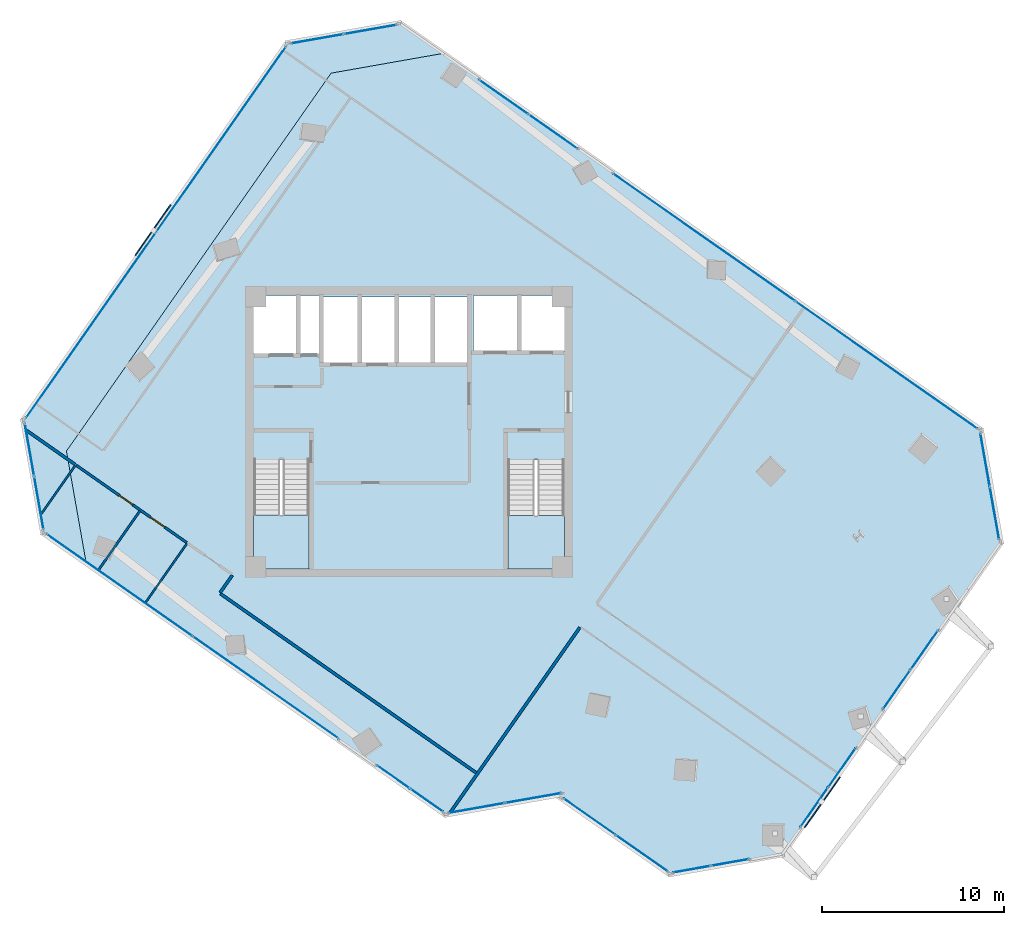
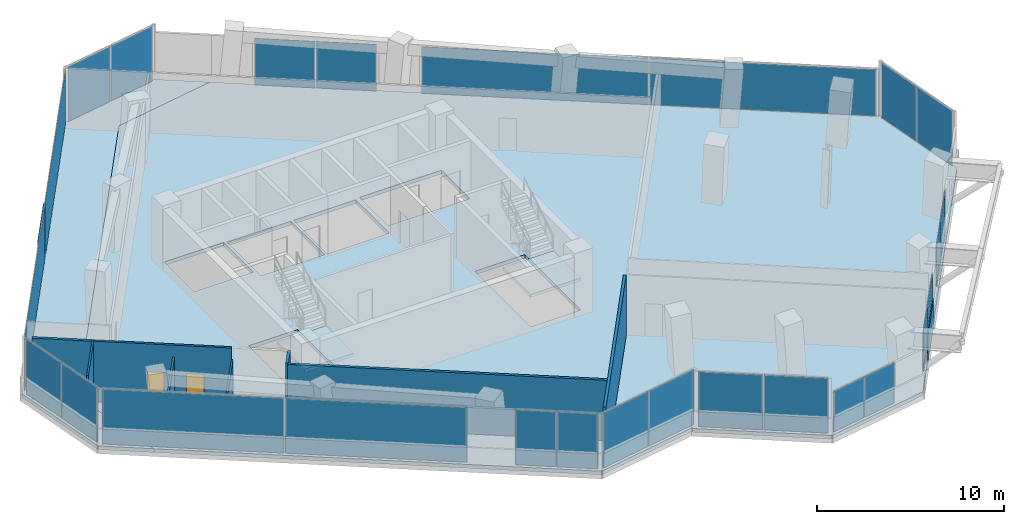
# One storey, part 16 of 21: 28 plates, 8 walls, 4 slabs, 2 doors, 2 openings, 15 elements without a shape of their own.
"""IFC4 building model written with IfcOpenShell, lengths in metres."""

from ifc_helpers import new_model, si_unit, direction, frame, frame_2d, origin, origin_2d, place, context, subcontext, project, spatial, polyline, rectangle, outline, extrude, source, transform, mapped, material, layer, layer_set, type_object, element, fill, aggregate, save


model = new_model("IFC4")

# Units and contexts
model_context = context("Model", 3, precision=1e-05, world=origin(), true_north=direction((0.0, 1.0)))
body_context = subcontext(model_context, "Body", "Model", "MODEL_VIEW")
ifc_project = project(units=[si_unit("LENGTHUNIT", "METRE"), si_unit("AREAUNIT", "SQUARE_METRE"), si_unit("VOLUMEUNIT", "CUBIC_METRE"), si_unit("PLANEANGLEUNIT", "RADIAN"), si_unit("MASSUNIT", "GRAM", prefix="KILO")], contexts=[model_context])

# Site, building, storey
site_placement = place(None, origin())
site = spatial("IfcSite", under=ifc_project, at=site_placement, CompositionType="ELEMENT")
building_placement = place(site_placement, origin())
building = spatial("IfcBuilding", under=site, at=building_placement, Name="Torre Montelarca", CompositionType="ELEMENT")
storey_placement = place(building_placement, frame((0.0, 0.0, 200.199951171875)))
storey = spatial("IfcBuildingStorey", under=building, at=storey_placement, Name="L45", CompositionType="ELEMENT", Elevation=200.199951171875)

# Slabs
ifc_material_1 = material(Name="Concrete C40/50", Category="concrete")
ifc_layer_1 = layer(ifc_material_1, 0.239990234375, Name="Concrete C40/50", Category="concrete")
ifc_layer_set_1 = layer_set([ifc_layer_1], Name="Concrete C40/50")
slab_type_1 = type_object("IfcSlabType", Name="SL-FLR-240", PredefinedType="FLOOR", material=ifc_layer_set_1)
slab_1_placement = place(storey_placement, frame((0.0, 0.0, -0.239990234375)))
element("IfcSlab", 1, at=slab_1_placement, inside=storey, type_object=slab_type_1, Name="L45 Structural Floor Slab", PredefinedType="FLOOR", context=body_context, shape_type="SweptSolid", body=[
    extrude(outline(polyline([(19.98974609375, 10.83935546875), (26.2568359375, 11.944580078125), (26.19970703125, 11.862548828125), (32.34326171875, 7.560791015625), (38.610595703125, 8.666015625), (50.655517578125, 25.8681640625), (49.550537109375, 32.135498046875), (19.97900390625, 52.841552734375), (13.7119140625, 51.736328125), (-0.85693359375, 30.929931640625), (0.248046875, 24.66259765625), (19.98974609375, 10.83935546875)]), holes=[polyline([(26.550048828125, 24.449951171875), (23.43994140625, 24.449951171875), (23.43994140625, 30.429931640625), (26.550048828125, 30.429931640625), (26.550048828125, 24.449951171875)]), polyline([(9.449951171875, 24.449951171875), (9.449951171875, 30.4599609375), (12.5, 30.4599609375), (12.5, 24.449951171875), (9.449951171875, 24.449951171875)]), polyline([(17.25, 35.800048828125), (13.300048828125, 35.800048828125), (13.300048828125, 39.39990234375), (17.25, 39.39990234375), (17.25, 35.800048828125)]), polyline([(21.25, 39.39990234375), (21.25, 35.800048828125), (17.39990234375, 35.800048828125), (17.39990234375, 39.39990234375), (21.25, 39.39990234375)]), polyline([(13.1201171875, 36.300048828125), (9.449951171875, 36.300048828125), (9.449951171875, 39.5), (13.1201171875, 39.5), (13.1201171875, 36.300048828125)]), polyline([(26.60009765625, 36.449951171875), (21.550048828125, 36.449951171875), (21.550048828125, 39.5), (26.60009765625, 39.5), (26.60009765625, 36.449951171875)])]), origin(), (0.0, 0.0, 1.0), 0.239990234375),
])
slab_2_placement = place(storey_placement, frame((0.0, 0.0, -0.239990234375)))
element("IfcSlab", 2, at=slab_2_placement, inside=storey, type_object=slab_type_1, Name="L45 Sliding Tray Winter Garden Floor Slab W1", PredefinedType="FLOOR", context=body_context, shape_type="SweptSolid", body=[
    extrude(outline(polyline([(0.248046875, 24.66259765625), (-0.85693359375, 30.929931640625), (13.7119140625, 51.736328125), (19.97900390625, 52.841552734375), (17.521728515625, 54.562255859375), (11.25439453125, 53.45703125), (-3.314453125, 32.650634765625), (-2.20947265625, 26.38330078125), (0.248046875, 24.66259765625)])), origin(), (0.0, 0.0, 1.0), 0.239990234375),
])

# Stair, slab
stair_type_1 = type_object("IfcStairType", Name="ST-CORE-ST1", PredefinedType="HALF_TURN_STAIR", material=ifc_material_1)
stair_1_placement = place(storey_placement, origin())
stair_1 = element("IfcStair", 3, at=stair_1_placement, inside=storey, type_object=stair_type_1, Name="L45 Protected Exit Stair ST1", PredefinedType="HALF_TURN_STAIR")
ifc_layer_2 = layer(ifc_material_1, 0.199951171875, Name="Concrete C40/50", Category="concrete")
ifc_layer_set_2 = layer_set([ifc_layer_2], Name="Concrete C40/50")
slab_type_2 = type_object("IfcSlabType", Name="SL-ST-LAND-ST1", PredefinedType="LANDING", material=ifc_layer_set_2)
slab_3_placement = place(storey_placement, frame((0.0, 0.0, 1.900146484375)))
slab_3 = element("IfcSlab", 4, at=slab_3_placement, type_object=slab_type_2, Name="ST1 landing 1", PredefinedType="LANDING", context=body_context, shape_type="SweptSolid", body=[
    extrude(outline(polyline([(9.449951171875, 27.419921875), (9.449951171875, 24.449951171875), (12.5, 24.449951171875), (12.5, 27.419921875), (9.449951171875, 27.419921875)])), origin(), (0.0, 0.0, 1.0), 0.199951171875),
])
aggregate(stair_1, [slab_3])

stair_type_2 = type_object("IfcStairType", Name="ST-CORE-ST2", PredefinedType="HALF_TURN_STAIR", material=ifc_material_1)
stair_2_placement = place(storey_placement, origin())
stair_2 = element("IfcStair", 5, at=stair_2_placement, inside=storey, type_object=stair_type_2, Name="L45 Protected Exit Stair ST2", PredefinedType="HALF_TURN_STAIR")
ifc_layer_3 = layer(ifc_material_1, 0.199951171875, Name="Concrete C40/50", Category="concrete")
ifc_layer_set_3 = layer_set([ifc_layer_3], Name="Concrete C40/50")
slab_type_3 = type_object("IfcSlabType", Name="SL-ST-LAND-ST2", PredefinedType="LANDING", material=ifc_layer_set_3)
slab_4_placement = place(storey_placement, frame((0.0, 0.0, 1.900146484375)))
slab_4 = element("IfcSlab", 6, at=slab_4_placement, type_object=slab_type_3, Name="ST2 landing 1", PredefinedType="LANDING", context=body_context, shape_type="SweptSolid", body=[
    extrude(outline(polyline([(23.43994140625, 27.389892578125), (23.43994140625, 24.449951171875), (26.550048828125, 24.449951171875), (26.550048828125, 27.389892578125), (23.43994140625, 27.389892578125)])), origin(), (0.0, 0.0, 1.0), 0.199951171875),
])
aggregate(stair_2, [slab_4])

# Plates
ifc_material_2 = material(Name="Architectural perforated terracotta ceramic", Category="masonry")
ifc_layer_4 = layer(ifc_material_2, 0.06005859375, Name="Architectural perforated terracotta ceramic", Category="masonry")
ifc_layer_set_4 = layer_set([ifc_layer_4], Name="Architectural perforated terracotta ceramic")
plate_type_1 = type_object("IfcPlateType", Name="SCR-CER-60", PredefinedType="USERDEFINED", material=ifc_layer_set_4)
shared_shape_1 = source(origin(), body_context, "Body", "SweptSolid", [
    extrude(rectangle(XDim=3.39990234375, YDim=0.06005859375, at=origin_2d()), origin(), (0.0, 0.0, 1.0), 1.89990234375),
])
for number, where, z_axis, x_axis, name in (
    (7, (40.75927734375, 11.59521484375, 0.5), (0.0, 0.0, 1.0), (0.573576436351, 0.819152044289, 0.0), "L45 Perforated Ceramic Brise-Soleil Screen E6-1"),
    (8, (3.904541015625, 43.099609375, 0.5), (0.0, 0.0, 1.0), (-0.57357500666, -0.819153045367, 0.0), "L45 Perforated Ceramic Brise-Soleil Screen E10-1"),
):
    element("IfcPlate", number, at=place(storey_placement, frame(where, z_axis=z_axis, x_axis=x_axis)), inside=storey, type_object=plate_type_1, Name=name, ObjectType="SOLAR SCREEN", PredefinedType="USERDEFINED", context=body_context, shape_type="MappedRepresentation", body=[
        mapped(shared_shape_1, transform((0.0, 0.0, 0.0), scale=1.0)),
    ])

# Curtain wall, plates
ifc_material_3 = material(Name="Insulated low-E laminated glass", Category="glass")
curtain_wall_type = type_object("IfcCurtainWallType", Name="CW-SYS-Z2", PredefinedType="USERDEFINED", material=ifc_material_3)
curtain_wall_1_placement = place(storey_placement, origin())
curtain_wall_1 = element("IfcCurtainWall", 9, at=curtain_wall_1_placement, inside=storey, type_object=curtain_wall_type, Name="L45 Curtain Wall Run CW-T3-L45-E02-B1", ObjectType="UNITISED GLAZING", PredefinedType="USERDEFINED")
ifc_layer_5 = layer(ifc_material_3, 0.031982421875, Name="Insulated low-E laminated glass", Category="glass")
ifc_layer_set_5 = layer_set([ifc_layer_5], Name="Insulated low-E laminated glass")
plate_type_2 = type_object("IfcPlateType", Name="CWP-GLZ-32", PredefinedType="CURTAIN_PANEL", material=ifc_layer_set_5)
shared_shape_2 = source(origin(), body_context, "Body", "SweptSolid", [
    extrude(rectangle(XDim=3.102294921875, YDim=0.031982421875, at=origin_2d()), origin(), (0.0, 0.0, 1.0), 3.590087890625),
])
plate_1_placement = place(storey_placement, frame((21.72216796875, 11.27685546875, 0.06494140625), z_axis=(0.0, 0.0, 1.0), x_axis=(0.984809975216, 0.173635574451, 0.0)))
plate_1 = element("IfcPlate", 10, at=plate_1_placement, type_object=plate_type_2, Name="CW panel 1.1", PredefinedType="CURTAIN_PANEL", context=body_context, shape_type="MappedRepresentation", body=[
    mapped(shared_shape_2, transform((0.0, 0.0, 0.0), scale=1.0)),
])
plate_2_placement = place(storey_placement, frame((24.84130859375, 11.826904296875, 0.06494140625), z_axis=(0.0, 0.0, 1.0), x_axis=(0.984809975216, 0.173635574451, 0.0)))
plate_2 = element("IfcPlate", 11, at=plate_2_placement, type_object=plate_type_2, Name="CW panel 2.1", PredefinedType="CURTAIN_PANEL", context=body_context, shape_type="MappedRepresentation", body=[
    mapped(shared_shape_2, transform((0.0, 0.0, 0.0), scale=1.0)),
])
aggregate(curtain_wall_1, [plate_1, plate_2])

curtain_wall_2_placement = place(storey_placement, origin())
curtain_wall_2 = element("IfcCurtainWall", 12, at=curtain_wall_2_placement, inside=storey, type_object=curtain_wall_type, Name="L45 Curtain Wall Run CW-T3-L45-E07-B1", ObjectType="UNITISED GLAZING", PredefinedType="USERDEFINED")
shared_shape_3 = source(origin(), body_context, "Body", "SweptSolid", [
    extrude(rectangle(XDim=2.918701171875, YDim=0.031982421875, at=origin_2d()), origin(), (0.0, 0.0, 1.0), 3.590087890625),
])
plate_3_placement = place(storey_placement, frame((50.234130859375, 27.510009765625, 0.06494140625), z_axis=(0.0, 0.0, 1.0), x_axis=(-0.173634019333, 0.984810249404, 0.0)))
plate_3 = element("IfcPlate", 13, at=plate_3_placement, type_object=plate_type_2, Name="CW panel 1.1", PredefinedType="CURTAIN_PANEL", context=body_context, shape_type="MappedRepresentation", body=[
    mapped(shared_shape_3, transform((0.0, 0.0, 0.0), scale=1.0)),
])
plate_4_placement = place(storey_placement, frame((49.716064453125, 30.4482421875, 0.06494140625), z_axis=(0.0, 0.0, 1.0), x_axis=(-0.173634019333, 0.984810249404, 0.0)))
plate_4 = element("IfcPlate", 14, at=plate_4_placement, type_object=plate_type_2, Name="CW panel 2.1", PredefinedType="CURTAIN_PANEL", context=body_context, shape_type="MappedRepresentation", body=[
    mapped(shared_shape_3, transform((0.0, 0.0, 0.0), scale=1.0)),
])
aggregate(curtain_wall_2, [plate_3, plate_4])

curtain_wall_3_placement = place(storey_placement, origin())
curtain_wall_3 = element("IfcCurtainWall", 15, at=curtain_wall_3_placement, inside=storey, type_object=curtain_wall_type, Name="L45 Curtain Wall Run CW-T3-L45-E09-B1", ObjectType="UNITISED GLAZING", PredefinedType="USERDEFINED")
plate_5_placement = place(storey_placement, frame((15.879638671875, 54.140625, 0.06494140625), z_axis=(0.0, 0.0, 1.0), x_axis=(-0.984810249404, -0.173634019333, 0.0)))
plate_5 = element("IfcPlate", 16, at=plate_5_placement, type_object=plate_type_2, Name="CW panel 1.1", PredefinedType="CURTAIN_PANEL", context=body_context, shape_type="MappedRepresentation", body=[
    mapped(shared_shape_3, transform((0.0, 0.0, 0.0), scale=1.0)),
])
plate_6_placement = place(storey_placement, frame((12.94140625, 53.62255859375, 0.06494140625), z_axis=(0.0, 0.0, 1.0), x_axis=(-0.984810249404, -0.173634019333, 0.0)))
plate_6 = element("IfcPlate", 17, at=plate_6_placement, type_object=plate_type_2, Name="CW panel 2.1", PredefinedType="CURTAIN_PANEL", context=body_context, shape_type="MappedRepresentation", body=[
    mapped(shared_shape_3, transform((0.0, 0.0, 0.0), scale=1.0)),
])
aggregate(curtain_wall_3, [plate_5, plate_6])

curtain_wall_4_placement = place(storey_placement, origin())
curtain_wall_4 = element("IfcCurtainWall", 18, at=curtain_wall_4_placement, inside=storey, type_object=curtain_wall_type, Name="L45 Curtain Wall Run CW-T3-L45-E11-B1", ObjectType="UNITISED GLAZING", PredefinedType="USERDEFINED")
shared_shape_4 = source(origin(), body_context, "Body", "SweptSolid", [
    extrude(rectangle(XDim=2.91845703125, YDim=0.031982421875, at=origin_2d()), origin(), (0.0, 0.0, 1.0), 3.590087890625),
])
plate_7_placement = place(storey_placement, frame((-2.892822265625, 31.0087890625, 0.06494140625), z_axis=(0.0, 0.0, 1.0), x_axis=(0.173620775944, -0.984812584282, 0.0)))
plate_7 = element("IfcPlate", 19, at=plate_7_placement, type_object=plate_type_2, Name="CW panel 1.1", PredefinedType="CURTAIN_PANEL", context=body_context, shape_type="MappedRepresentation", body=[
    mapped(shared_shape_4, transform((0.0, 0.0, 0.0), scale=1.0)),
])
plate_8_placement = place(storey_placement, frame((-2.374755859375, 28.0703125, 0.06494140625), z_axis=(0.0, 0.0, 1.0), x_axis=(0.173620775944, -0.984812584282, 0.0)))
plate_8 = element("IfcPlate", 20, at=plate_8_placement, type_object=plate_type_2, Name="CW panel 2.1", PredefinedType="CURTAIN_PANEL", context=body_context, shape_type="MappedRepresentation", body=[
    mapped(shared_shape_4, transform((0.0, 0.0, 0.0), scale=1.0)),
])
aggregate(curtain_wall_4, [plate_7, plate_8])

curtain_wall_5_placement = place(storey_placement, origin())
curtain_wall_5 = element("IfcCurtainWall", 21, at=curtain_wall_5_placement, inside=storey, type_object=curtain_wall_type, Name="L45 Curtain Wall Run CW-T3-L45-E01-B2", ObjectType="UNITISED GLAZING", PredefinedType="USERDEFINED")
shared_shape_5 = source(origin(), body_context, "Body", "SweptSolid", [
    extrude(rectangle(XDim=2.180419921875, YDim=0.031982421875, at=origin_2d()), origin(), (0.0, 0.0, 1.0), 3.590087890625),
])
plate_9_placement = place(storey_placement, frame((17.142822265625, 12.991455078125, 0.06494140625), z_axis=(0.0, 0.0, 1.0), x_axis=(0.81916282273, -0.573561042834, 0.0)))
plate_9 = element("IfcPlate", 22, at=plate_9_placement, type_object=plate_type_2, Name="CW panel 1.1", PredefinedType="CURTAIN_PANEL", context=body_context, shape_type="MappedRepresentation", body=[
    mapped(shared_shape_5, transform((0.0, 0.0, 0.0), scale=1.0)),
])
plate_10_placement = place(storey_placement, frame((18.982177734375, 11.70361328125, 0.06494140625), z_axis=(0.0, 0.0, 1.0), x_axis=(0.81916282273, -0.573561042834, 0.0)))
plate_10 = element("IfcPlate", 23, at=plate_10_placement, type_object=plate_type_2, Name="CW panel 2.1", PredefinedType="CURTAIN_PANEL", context=body_context, shape_type="MappedRepresentation", body=[
    mapped(shared_shape_5, transform((0.0, 0.0, 0.0), scale=1.0)),
])
aggregate(curtain_wall_5, [plate_9, plate_10])

curtain_wall_6_placement = place(storey_placement, origin())
curtain_wall_6 = element("IfcCurtainWall", 24, at=curtain_wall_6_placement, inside=storey, type_object=curtain_wall_type, Name="L45 Curtain Wall Run CW-T3-L45-E08-B2", ObjectType="UNITISED GLAZING", PredefinedType="USERDEFINED")
shared_shape_6 = source(origin(), body_context, "Body", "SweptSolid", [
    extrude(rectangle(XDim=3.251708984375, YDim=0.031982421875, at=origin_2d()), origin(), (0.0, 0.0, 1.0), 3.044921875),
])
plate_11_placement = place(storey_placement, frame((25.933837890625, 48.51318359375, 0.065185546875), z_axis=(0.0, 0.0, 1.0), x_axis=(-0.819150557563, 0.57357855961, 0.0)))
plate_11 = element("IfcPlate", 25, at=plate_11_placement, type_object=plate_type_2, Name="CW panel 1.1", PredefinedType="CURTAIN_PANEL", context=body_context, shape_type="MappedRepresentation", body=[
    mapped(shared_shape_6, transform((0.0, 0.0, 0.0), scale=1.0)),
])
plate_12_placement = place(storey_placement, frame((23.216796875, 50.41552734375, 0.065185546875), z_axis=(0.0, 0.0, 1.0), x_axis=(-0.819150557563, 0.57357855961, 0.0)))
plate_12 = element("IfcPlate", 26, at=plate_12_placement, type_object=plate_type_2, Name="CW panel 2.1", PredefinedType="CURTAIN_PANEL", context=body_context, shape_type="MappedRepresentation", body=[
    mapped(shared_shape_6, transform((0.0, 0.0, 0.0), scale=1.0)),
])
aggregate(curtain_wall_6, [plate_11, plate_12])

curtain_wall_7_placement = place(storey_placement, origin())
curtain_wall_7 = element("IfcCurtainWall", 27, at=curtain_wall_7_placement, inside=storey, type_object=curtain_wall_type, Name="L45 Curtain Wall Run CW-T3-L45-E04-B1", ObjectType="UNITISED GLAZING", PredefinedType="USERDEFINED")
shared_shape_7 = source(origin(), body_context, "Body", "SweptSolid", [
    extrude(rectangle(XDim=3.44873046875, YDim=0.031982421875, at=origin_2d()), origin(), (0.0, 0.0, 1.0), 3.590087890625),
])
plate_13_placement = place(storey_placement, frame((27.93798828125, 10.803955078125, 0.06494140625), z_axis=(0.0, 0.0, 1.0), x_axis=(0.819165011136, -0.57355791733, 0.0)))
plate_13 = element("IfcPlate", 28, at=plate_13_placement, type_object=plate_type_2, Name="CW panel 1.1", PredefinedType="CURTAIN_PANEL", context=body_context, shape_type="MappedRepresentation", body=[
    mapped(shared_shape_7, transform((0.0, 0.0, 0.0), scale=1.0)),
])
plate_14_placement = place(storey_placement, frame((30.816162109375, 8.788818359375, 0.06494140625), z_axis=(0.0, 0.0, 1.0), x_axis=(0.819165011136, -0.57355791733, 0.0)))
plate_14 = element("IfcPlate", 29, at=plate_14_placement, type_object=plate_type_2, Name="CW panel 2.1", PredefinedType="CURTAIN_PANEL", context=body_context, shape_type="MappedRepresentation", body=[
    mapped(shared_shape_7, transform((0.0, 0.0, 0.0), scale=1.0)),
])
aggregate(curtain_wall_7, [plate_13, plate_14])

curtain_wall_8_placement = place(storey_placement, origin())
curtain_wall_8 = element("IfcCurtainWall", 30, at=curtain_wall_8_placement, inside=storey, type_object=curtain_wall_type, Name="L45 Curtain Wall Run CW-T3-L45-E10-B1", ObjectType="UNITISED GLAZING", PredefinedType="USERDEFINED")
shared_shape_8 = source(origin(), body_context, "Body", "SweptSolid", [
    extrude(rectangle(XDim=12.436767578125, YDim=0.031982421875, at=origin_2d()), origin(), (0.0, 0.0, 1.0), 3.590087890625),
])
plate_15_placement = place(storey_placement, frame((7.661865234375, 48.099609375, 0.06494140625), z_axis=(0.0, 0.0, 1.0), x_axis=(-0.573568626271, -0.81915751291, 0.0)))
plate_15 = element("IfcPlate", 31, at=plate_15_placement, type_object=plate_type_2, Name="CW panel 1.1", PredefinedType="CURTAIN_PANEL", context=body_context, shape_type="MappedRepresentation", body=[
    mapped(shared_shape_8, transform((0.0, 0.0, 0.0), scale=1.0)),
])
plate_16_placement = place(storey_placement, frame((0.4912109375, 37.85888671875, 0.06494140625), z_axis=(0.0, 0.0, 1.0), x_axis=(-0.573568626271, -0.81915751291, 0.0)))
plate_16 = element("IfcPlate", 32, at=plate_16_placement, type_object=plate_type_2, Name="CW panel 2.1", PredefinedType="CURTAIN_PANEL", context=body_context, shape_type="MappedRepresentation", body=[
    mapped(shared_shape_8, transform((0.0, 0.0, 0.0), scale=1.0)),
])
aggregate(curtain_wall_8, [plate_15, plate_16])

curtain_wall_9_placement = place(storey_placement, origin())
curtain_wall_9 = element("IfcCurtainWall", 33, at=curtain_wall_9_placement, inside=storey, type_object=curtain_wall_type, Name="L45 Curtain Wall Run CW-T3-L45-E05-B1", ObjectType="UNITISED GLAZING", PredefinedType="USERDEFINED")
shared_shape_9 = source(origin(), body_context, "Body", "SweptSolid", [
    extrude(rectangle(XDim=2.0771484375, YDim=0.031982421875, at=origin_2d()), origin(), (0.0, 0.0, 1.0), 2.64501953125),
])
plate_17_placement = place(storey_placement, frame((33.57080078125, 7.909423828125, 0.06494140625), z_axis=(0.0, 0.0, 1.0), x_axis=(0.984810165356, 0.17363449603, 0.0)))
plate_17 = element("IfcPlate", 34, at=plate_17_placement, type_object=plate_type_2, Name="CW panel 1.1", PredefinedType="CURTAIN_PANEL", context=body_context, shape_type="MappedRepresentation", body=[
    mapped(shared_shape_9, transform((0.0, 0.0, 0.0), scale=1.0)),
])
plate_18_placement = place(storey_placement, frame((35.680419921875, 8.28125, 0.06494140625), z_axis=(0.0, 0.0, 1.0), x_axis=(0.984810165356, 0.17363449603, 0.0)))
plate_18 = element("IfcPlate", 35, at=plate_18_placement, type_object=plate_type_2, Name="CW panel 2.1", PredefinedType="CURTAIN_PANEL", context=body_context, shape_type="MappedRepresentation", body=[
    mapped(shared_shape_9, transform((0.0, 0.0, 0.0), scale=1.0)),
])
aggregate(curtain_wall_9, [plate_17, plate_18])

curtain_wall_10_placement = place(storey_placement, origin())
curtain_wall_10 = element("IfcCurtainWall", 36, at=curtain_wall_10_placement, inside=storey, type_object=curtain_wall_type, Name="L45 Curtain Wall Run CW-T3-L45-E01-B1", ObjectType="UNITISED GLAZING", PredefinedType="USERDEFINED")
shared_shape_10 = source(origin(), body_context, "Body", "SweptSolid", [
    extrude(rectangle(XDim=9.764404296875, YDim=0.031982421875, at=origin_2d()), origin(), (0.0, 0.0, 1.0), 3.590087890625),
])
plate_19_placement = place(storey_placement, frame((2.053466796875, 23.55712890625, 0.06494140625), z_axis=(0.0, 0.0, 1.0), x_axis=(0.819154739747, -0.573572586819, 0.0)))
plate_19 = element("IfcPlate", 37, at=plate_19_placement, type_object=plate_type_2, Name="CW panel 1.1", PredefinedType="CURTAIN_PANEL", context=body_context, shape_type="MappedRepresentation", body=[
    mapped(shared_shape_10, transform((0.0, 0.0, 0.0), scale=1.0)),
])
plate_20_placement = place(storey_placement, frame((10.105224609375, 17.919189453125, 0.06494140625), z_axis=(0.0, 0.0, 1.0), x_axis=(0.819154739747, -0.573572586819, 0.0)))
plate_20 = element("IfcPlate", 38, at=plate_20_placement, type_object=plate_type_2, Name="CW panel 2.1", PredefinedType="CURTAIN_PANEL", context=body_context, shape_type="MappedRepresentation", body=[
    mapped(shared_shape_10, transform((0.0, 0.0, 0.0), scale=1.0)),
])
aggregate(curtain_wall_10, [plate_19, plate_20])

curtain_wall_11_placement = place(storey_placement, origin())
curtain_wall_11 = element("IfcCurtainWall", 39, at=curtain_wall_11_placement, inside=storey, type_object=curtain_wall_type, Name="L45 Curtain Wall Run CW-T3-L45-E06-B1", ObjectType="UNITISED GLAZING", PredefinedType="USERDEFINED")
shared_shape_11 = source(origin(), body_context, "Body", "SweptSolid", [
    extrude(rectangle(XDim=2.59521484375, YDim=0.031982421875, at=origin_2d()), origin(), (0.0, 0.0, 1.0), 2.64501953125),
])
plate_21_placement = place(storey_placement, frame((40.305908203125, 11.313720703125, 0.06494140625), z_axis=(0.0, 0.0, 1.0), x_axis=(0.573555808187, 0.819166487898, 0.0)))
plate_21 = element("IfcPlate", 40, at=plate_21_placement, type_object=plate_type_2, Name="CW panel 1.1", PredefinedType="CURTAIN_PANEL", context=body_context, shape_type="MappedRepresentation", body=[
    mapped(shared_shape_11, transform((0.0, 0.0, 0.0), scale=1.0)),
])
plate_22_placement = place(storey_placement, frame((41.83154296875, 13.492919921875, 0.06494140625), z_axis=(0.0, 0.0, 1.0), x_axis=(0.573555808187, 0.819166487898, 0.0)))
plate_22 = element("IfcPlate", 41, at=plate_22_placement, type_object=plate_type_2, Name="CW panel 2.1", PredefinedType="CURTAIN_PANEL", context=body_context, shape_type="MappedRepresentation", body=[
    mapped(shared_shape_11, transform((0.0, 0.0, 0.0), scale=1.0)),
])
aggregate(curtain_wall_11, [plate_21, plate_22])

curtain_wall_12_placement = place(storey_placement, origin())
curtain_wall_12 = element("IfcCurtainWall", 42, at=curtain_wall_12_placement, inside=storey, type_object=curtain_wall_type, Name="L45 Curtain Wall Run CW-T3-L45-E06-B2", ObjectType="UNITISED GLAZING", PredefinedType="USERDEFINED")
shared_shape_12 = source(origin(), body_context, "Body", "SweptSolid", [
    extrude(rectangle(XDim=2.59228515625, YDim=0.031982421875, at=origin_2d()), origin(), (0.0, 0.0, 1.0), 2.64501953125),
])
plate_23_placement = place(storey_placement, frame((44.849609375, 17.802734375, 0.06494140625), z_axis=(0.0, 0.0, 1.0), x_axis=(0.57356339426, 0.819161176305, 0.0)))
plate_23 = element("IfcPlate", 43, at=plate_23_placement, type_object=plate_type_2, Name="CW panel 1.1", PredefinedType="CURTAIN_PANEL", context=body_context, shape_type="MappedRepresentation", body=[
    mapped(shared_shape_12, transform((0.0, 0.0, 0.0), scale=1.0)),
])
plate_24_placement = place(storey_placement, frame((46.37353515625, 19.9794921875, 0.06494140625), z_axis=(0.0, 0.0, 1.0), x_axis=(0.57356339426, 0.819161176305, 0.0)))
plate_24 = element("IfcPlate", 44, at=plate_24_placement, type_object=plate_type_2, Name="CW panel 2.1", PredefinedType="CURTAIN_PANEL", context=body_context, shape_type="MappedRepresentation", body=[
    mapped(shared_shape_12, transform((0.0, 0.0, 0.0), scale=1.0)),
])
aggregate(curtain_wall_12, [plate_23, plate_24])

curtain_wall_13_placement = place(storey_placement, origin())
curtain_wall_13 = element("IfcCurtainWall", 45, at=curtain_wall_13_placement, inside=storey, type_object=curtain_wall_type, Name="L45 Curtain Wall Run CW-T3-L45-E08-B1", ObjectType="UNITISED GLAZING", PredefinedType="USERDEFINED")
shared_shape_13 = source(origin(), body_context, "Body", "SweptSolid", [
    extrude(rectangle(XDim=12.197509765625, YDim=0.031982421875, at=origin_2d()), origin(), (0.0, 0.0, 1.0), 3.044921875),
])
plate_25_placement = place(storey_placement, frame((44.291015625, 35.659423828125, 0.065185546875), z_axis=(0.0, 0.0, 1.0), x_axis=(-0.819155492023, 0.573571512445, 0.0)))
plate_25 = element("IfcPlate", 46, at=plate_25_placement, type_object=plate_type_2, Name="CW panel 1.1", PredefinedType="CURTAIN_PANEL", context=body_context, shape_type="MappedRepresentation", body=[
    mapped(shared_shape_13, transform((0.0, 0.0, 0.0), scale=1.0)),
])
plate_26_placement = place(storey_placement, frame((34.24609375, 42.69287109375, 0.065185546875), z_axis=(0.0, 0.0, 1.0), x_axis=(-0.819155492023, 0.573571512445, 0.0)))
plate_26 = element("IfcPlate", 47, at=plate_26_placement, type_object=plate_type_2, Name="CW panel 2.1", PredefinedType="CURTAIN_PANEL", context=body_context, shape_type="MappedRepresentation", body=[
    mapped(shared_shape_13, transform((0.0, 0.0, 0.0), scale=1.0)),
])
aggregate(curtain_wall_13, [plate_25, plate_26])

# Walls
ifc_material_4 = material(Name="Gypsum plasterboard on steel stud", Category="steel")
ifc_layer_6 = layer(ifc_material_4, 0.159912109375, Name="Gypsum plasterboard on steel stud", Category="steel")
ifc_layer_set_6 = layer_set([ifc_layer_6], Name="Gypsum plasterboard on steel stud")
wall_type_1 = type_object("IfcWallType", Name="PW-FIRE-160", PredefinedType="PARTITIONING", material=ifc_layer_set_6)
wall_1_placement = place(storey_placement, frame((-3.038330078125, 32.0546875, 0.0), z_axis=(0.0, 0.0, 1.0), x_axis=(0.819122229171, -0.573619014397, 0.0)))
element("IfcWall", 48, at=wall_1_placement, inside=storey, type_object=wall_type_1, Name="L45 Interior Partition W-L45-SOCCW", PredefinedType="PARTITIONING", context=body_context, shape_type="SweptSolid", body=[
    extrude(rectangle(XDim=3.241943359375, YDim=0.159912109375, at=frame_2d((1.62109375, 0.0))), origin(), (0.0, 0.0, 1.0), 3.9599609375),
])
wall_2_placement = place(storey_placement, frame((8.269287109375, 24.087890625, 0.0), z_axis=(0.0, 0.0, 1.0), x_axis=(-0.573787211882, -0.819004417253, 0.0)))
element("IfcWall", 49, at=wall_2_placement, inside=storey, type_object=wall_type_1, Name="L45 Interior Partition W-L45-SOCCW2", PredefinedType="PARTITIONING", context=body_context, shape_type="SweptSolid", body=[
    extrude(rectangle(XDim=1.159912109375, YDim=0.159912109375, at=frame_2d((0.580078125, 0.0))), origin(), (0.0, 0.0, 1.0), 3.9599609375),
])
wall_3_placement = place(storey_placement, frame((7.613525390625, 23.082275390625, 0.0), z_axis=(0.0, 0.0, 1.0), x_axis=(0.819144092075, -0.573587793123, 0.0)))
element("IfcWall", 50, at=wall_3_placement, inside=storey, type_object=wall_type_1, Name="L45 Interior Partition W-L45-SOCCN2", PredefinedType="PARTITIONING", context=body_context, shape_type="SweptSolid", body=[
    extrude(rectangle(XDim=17.239990234375, YDim=0.159912109375, at=frame_2d((8.6201171875, 0.0))), origin(), (0.0, 0.0, 1.0), 3.9599609375),
])
wall_4_placement = place(storey_placement, frame((20.293212890625, 11.06396484375, 0.0), z_axis=(0.0, 0.0, 1.0), x_axis=(0.573585209026, 0.819145901526, 0.0)))
element("IfcWall", 51, at=wall_4_placement, inside=storey, type_object=wall_type_1, Name="L45 Interior Partition W-L45-ECS", PredefinedType="PARTITIONING", context=body_context, shape_type="SweptSolid", body=[
    extrude(rectangle(XDim=12.40185546875, YDim=0.159912109375, at=frame_2d((6.200927734375, 0.0))), origin(), (0.0, 0.0, 1.0), 3.9599609375),
])
ifc_material_5 = material(Name="Acoustic laminated glass partition", Category="glass")
ifc_layer_7 = layer(ifc_material_5, 0.10009765625, Name="Acoustic laminated glass partition", Category="glass")
ifc_layer_set_7 = layer_set([ifc_layer_7], Name="Acoustic laminated glass partition")
wall_type_2 = type_object("IfcWallType", Name="PW-GLAZ-100", PredefinedType="PARTITIONING", material=ifc_layer_set_7)
wall_5_placement = place(storey_placement, frame((-2.232421875, 27.483642578125, 0.0), z_axis=(0.0, 0.0, 1.0), x_axis=(0.573583631645, 0.819147006043, 0.0)))
element("IfcWall", 52, at=wall_5_placement, inside=storey, type_object=wall_type_2, Name="L45 Interior Partition W-L45-WCW", PredefinedType="PARTITIONING", context=body_context, shape_type="SweptSolid", body=[
    extrude(rectangle(XDim=3.2421875, YDim=0.10009765625, at=frame_2d((1.62109375, 0.0))), origin(), (0.0, 0.0, 1.0), 3.9599609375),
])
wall_6_placement = place(storey_placement, frame((3.5048828125, 22.601806640625, 0.0), z_axis=(0.0, 0.0, 1.0), x_axis=(0.573624108016, 0.819118662163, 0.0)))
element("IfcWall", 53, at=wall_6_placement, inside=storey, type_object=wall_type_2, Name="L45 Interior Partition W-L45-SWCDIV", PredefinedType="PARTITIONING", context=body_context, shape_type="SweptSolid", body=[
    extrude(rectangle(XDim=3.9501953125, YDim=0.10009765625, at=frame_2d((1.97509765625, 0.0))), origin(), (0.0, 0.0, 1.0), 3.195068359375),
])
ifc_layer_8 = layer(ifc_material_4, 0.114990234375, Name="Gypsum plasterboard on steel stud", Category="steel")
ifc_layer_set_8 = layer_set([ifc_layer_8], Name="Gypsum plasterboard on steel stud")
wall_type_3 = type_object("IfcWallType", Name="PW-PART-115", PredefinedType="PARTITIONING", material=ifc_layer_set_8)
wall_7_placement = place(storey_placement, frame((0.9248046875, 24.40869140625, 0.0), z_axis=(0.0, 0.0, 1.0), x_axis=(0.573582636552, 0.819147702826, 0.0)))
element("IfcWall", 54, at=wall_7_placement, inside=storey, type_object=wall_type_3, Name="L45 Interior Partition W-L45-WCD", PredefinedType="PARTITIONING", context=body_context, shape_type="SweptSolid", body=[
    extrude(rectangle(XDim=3.949951171875, YDim=0.114990234375, at=frame_2d((1.97509765625, 0.0))), origin(), (0.0, 0.0, 1.0), 3.195068359375),
])

# Wall, openings, doors
ifc_layer_9 = layer(ifc_material_4, 0.135009765625, Name="Gypsum plasterboard on steel stud", Category="steel")
ifc_layer_set_9 = layer_set([ifc_layer_9], Name="Gypsum plasterboard on steel stud")
wall_type_4 = type_object("IfcWallType", Name="PW-PART-135", PredefinedType="PARTITIONING", material=ifc_layer_set_9)
wall_8_placement = place(storey_placement, frame((-0.317138671875, 30.149169921875, 0.0), z_axis=(0.0, 0.0, 1.0), x_axis=(0.819142256539, -0.573590414454, 0.0)))
wall_8 = element("IfcWall", 55, at=wall_8_placement, inside=storey, type_object=wall_type_4, Name="L45 Interior Partition W-L45-WCN", PredefinedType="PARTITIONING", context=body_context, shape_type="SweptSolid", body=[
    extrude(rectangle(XDim=7.420166015625, YDim=0.135009765625, at=frame_2d((3.7099609375, 0.0))), origin(), (0.0, 0.0, 1.0), 3.9599609375),
])
opening_1_placement = place(wall_8_placement, frame((2.89990234375, 0.0, 0.0)))
opening_1 = element("IfcOpeningElement", 56, at=opening_1_placement, cuts=wall_8, Name="Opening ID-090", PredefinedType="OPENING", context=body_context, shape_type="SweptSolid", body=[
    extrude(rectangle(XDim=0.89990234375, YDim=2.14990234375, at=frame_2d((0.449951171875, 1.074951171875))), frame((0.0, 0.07763671875, 0.0), z_axis=(0.0, -1.0, 0.0), x_axis=(1.0, 0.0, 0.0)), (0.0, 0.0, 1.0), 0.155029296875),
])
opening_2_placement = place(wall_8_placement, frame((5.0, 0.0, 0.0)))
opening_2 = element("IfcOpeningElement", 57, at=opening_2_placement, cuts=wall_8, Name="Opening ID-095", PredefinedType="OPENING", context=body_context, shape_type="SweptSolid", body=[
    extrude(rectangle(XDim=0.949951171875, YDim=2.14990234375, at=frame_2d((0.47509765625, 1.074951171875))), frame((0.0, 0.07763671875, 0.0), z_axis=(0.0, -1.0, 0.0), x_axis=(1.0, 0.0, 0.0)), (0.0, 0.0, 1.0), 0.155029296875),
])
ifc_material_6 = material(Name="Hardwood acoustic timber veneer", Category="wood")
door_type_1 = type_object("IfcDoorType", Name="DR-INT-090", OperationType="NOTDEFINED", PredefinedType="DOOR", material=ifc_material_6)
shared_shape_14 = source(origin(), body_context, "Body", "SweptSolid", [
    extrude(rectangle(XDim=0.89990234375, YDim=2.14990234375, at=frame_2d((0.449951171875, 1.074951171875))), frame((0.0, 0.02490234375, 0.0), z_axis=(0.0, -1.0, 0.0), x_axis=(1.0, 0.0, 0.0)), (0.0, 0.0, 1.0), 0.050048828125),
])
door_1_placement = place(opening_1_placement, origin())
door_1 = element("IfcDoor", 58, at=door_1_placement, inside=storey, type_object=door_type_1, Name="L45 Interior Door 03", OperationType="SINGLE_SWING_LEFT", OverallHeight=2.14990234375, OverallWidth=0.89990234375, PredefinedType="DOOR", context=body_context, shape_type="MappedRepresentation", body=[
    mapped(shared_shape_14, transform((0.0, 0.0, 0.0), scale=1.0)),
])
fill(opening_1, door_1)
door_type_2 = type_object("IfcDoorType", Name="DR-INT-095", OperationType="NOTDEFINED", PredefinedType="DOOR", material=ifc_material_6)
shared_shape_15 = source(origin(), body_context, "Body", "SweptSolid", [
    extrude(rectangle(XDim=0.949951171875, YDim=2.14990234375, at=frame_2d((0.47509765625, 1.074951171875))), frame((0.0, 0.02490234375, 0.0), z_axis=(0.0, -1.0, 0.0), x_axis=(1.0, 0.0, 0.0)), (0.0, 0.0, 1.0), 0.050048828125),
])
door_2_placement = place(opening_2_placement, origin())
door_2 = element("IfcDoor", 59, at=door_2_placement, inside=storey, type_object=door_type_2, Name="L45 Interior Door 04", OperationType="SINGLE_SWING_RIGHT", OverallHeight=2.14990234375, OverallWidth=0.949951171875, PredefinedType="DOOR", context=body_context, shape_type="MappedRepresentation", body=[
    mapped(shared_shape_15, transform((0.0, 0.0, 0.0), scale=1.0)),
])
fill(opening_2, door_2)

save(model, "model.ifc")
